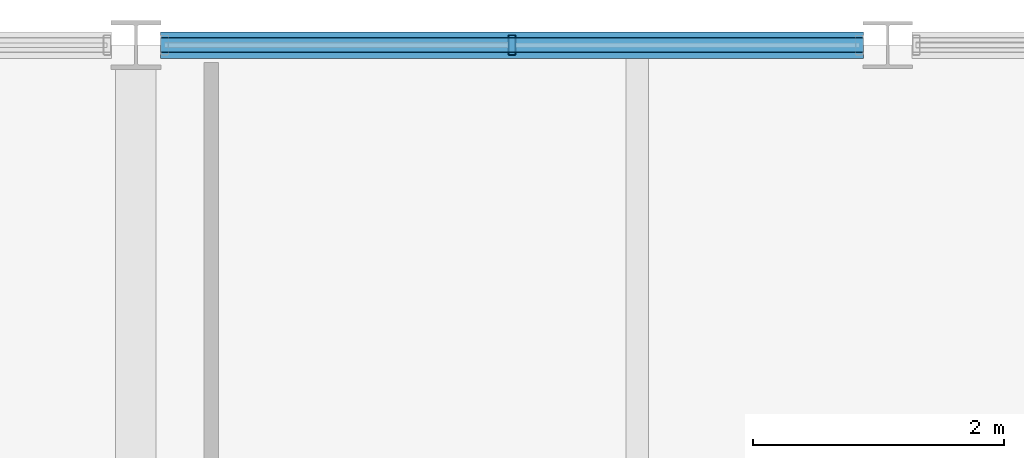
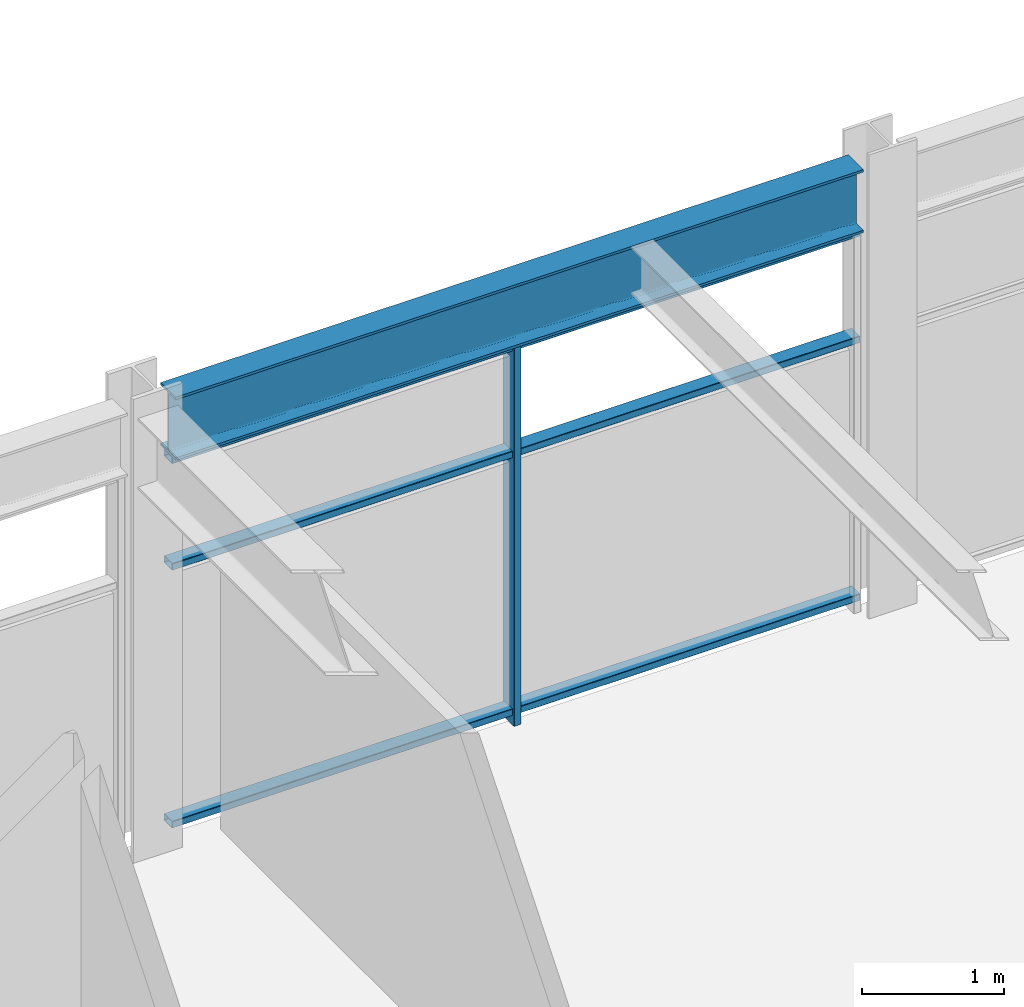
# One storey, part 26 of 51: 4 members, 1 beam, 1 element without a shape of its own.
"""IFC4 building model written with IfcOpenShell, lengths in metres."""

import ifcopenshell
import ifcopenshell.guid

model = None  # the IFC model being written
_history = None  # IfcOwnerHistory: only IFC2X3 demands one
_inside = {}  # id of a spatial element -> (the spatial element, [elements in it])
_under = {}  # id of a project, library or spatial element -> (it, [spatial elements below it])
_declared = {}  # id of a project -> (the project, [libraries it declares])
_typed = {}  # id of a type object -> (the type object, [elements of that type])
_made_of = {}  # id of a material, layer set ... -> (it, [elements and type objects made of it])


def new_model(schema):
    """Start an empty IFC model of exactly this schema.

    Asked for "IFC4X3", IfcOpenShell would pick the latest addendum, in which some entities
    have other attributes; the version numbers below select the first issue.
    IFC2X3 requires an IfcOwnerHistory on every rooted entity: one is made here for all.
    """
    global model, _history
    if schema == "IFC4X3":
        model = ifcopenshell.file(schema_version=(4, 3, 0, 0))
    else:
        model = ifcopenshell.file(schema=schema)
    _inside.clear()
    _under.clear()
    _declared.clear()
    _typed.clear()
    _made_of.clear()
    _history = None
    if model.schema == "IFC2X3":
        org = make("IfcOrganization", Name="unknown")
        user = make(
            "IfcPersonAndOrganization",
            ThePerson=make("IfcPerson", FamilyName="unknown"),
            TheOrganization=org,
        )
        app = make(
            "IfcApplication",
            ApplicationDeveloper=org,
            Version="unknown",
            ApplicationFullName="unknown",
            ApplicationIdentifier="unknown",
        )
        _history = make(
            "IfcOwnerHistory",
            OwningUser=user,
            OwningApplication=app,
            ChangeAction="ADDED",
            CreationDate=0,
        )
    return model


def make(cls, **values):
    """One entity of the class cls with the attributes given. An attribute that is None is left unset."""
    return model.create_entity(
        cls, **{name: value for name, value in values.items() if value is not None}
    )


def rooted(cls, **values):
    """An entity with a GlobalId (a new one), such as an element, a storey or a relation."""
    return make(cls, GlobalId=ifcopenshell.guid.new(), OwnerHistory=_history, **values)


def si_unit(unit_type, name, prefix=None):
    """IfcSIUnit, for example si_unit("LENGTHUNIT", "METRE", prefix="MILLI")."""
    return make("IfcSIUnit", UnitType=unit_type, Prefix=prefix, Name=name)


def assignment(units):
    """IfcUnitAssignment: the units of a project."""
    return None if units is None else make("IfcUnitAssignment", Units=units)


def point(xyz):
    """IfcCartesianPoint."""
    return None if xyz is None else make("IfcCartesianPoint", Coordinates=xyz)


def direction(xyz):
    """IfcDirection."""
    return None if xyz is None else make("IfcDirection", DirectionRatios=xyz)


def frame(location, z_axis=None, x_axis=None):
    """IfcAxis2Placement3D, a coordinate frame: its origin and axes. An axis left out is left unset."""
    return make(
        "IfcAxis2Placement3D",
        Location=point(location),
        Axis=direction(z_axis),
        RefDirection=direction(x_axis),
    )


def frame_2d(location, x_axis=None):
    """IfcAxis2Placement2D, a coordinate frame in the plane: its origin and x axis."""
    return make(
        "IfcAxis2Placement2D", Location=point(location), RefDirection=direction(x_axis)
    )


def origin():
    """The frame at (0, 0, 0) with its axes left unset."""
    return frame((0.0, 0.0, 0.0))


def origin_2d():
    """The frame at (0, 0) in the plane with its x axis left unset."""
    return frame_2d((0.0, 0.0))


def place(relative_to, where):
    """IfcLocalPlacement: puts the frame where relative to a parent placement (None: the world)."""
    return make(
        "IfcLocalPlacement", PlacementRelTo=relative_to, RelativePlacement=where
    )


def context(
    kind, dimensions, precision=None, world=None, true_north=None, identifier=None
):
    """IfcGeometricRepresentationContext, for example the 3D "Model" context."""
    return make(
        "IfcGeometricRepresentationContext",
        ContextIdentifier=identifier,
        ContextType=kind,
        CoordinateSpaceDimension=dimensions,
        Precision=precision,
        WorldCoordinateSystem=world,
        TrueNorth=true_north,
    )


def subcontext(parent, identifier, kind, view, scale=None):
    """IfcGeometricRepresentationSubContext, for example "Body" below "Model"."""
    return make(
        "IfcGeometricRepresentationSubContext",
        ContextIdentifier=identifier,
        ContextType=kind,
        ParentContext=parent,
        TargetScale=scale,
        TargetView=view,
    )


def project(units=None, contexts=None):
    """IfcProject with its units and contexts."""
    return rooted(
        "IfcProject",
        Name="project",
        RepresentationContexts=contexts,
        UnitsInContext=assignment(units),
    )


def spatial(cls, under=None, at=None, **own):
    """A site, building, storey or space (cls), placed at a placement, below another one or the project."""
    s = rooted(cls, ObjectPlacement=at, **own)
    if under is not None:
        _under.setdefault(under.id(), (under, []))[1].append(s)
    return s


def profile(cls, at=None, kind="AREA", **sizes):
    """A parametric profile (cls). Its sizes go by their IFC names, for example OverallWidth=200.0."""
    return make(cls, ProfileType=kind, Position=at, **sizes)


def hollow_rectangle(**sizes):
    """IfcRectangleHollowProfileDef."""
    return profile("IfcRectangleHollowProfileDef", **sizes)


def i_section(**sizes):
    """IfcIShapeProfileDef."""
    return profile("IfcIShapeProfileDef", **sizes)


def extrude(swept, where, along, depth):
    """IfcExtrudedAreaSolid: the profile swept, set in the frame where, extruded along a direction by depth."""
    return make(
        "IfcExtrudedAreaSolid",
        SweptArea=swept,
        Position=where,
        ExtrudedDirection=direction(along),
        Depth=depth,
    )


def shape(context_of_items, identifier, shape_type, items):
    """IfcShapeRepresentation: the items that make up one representation, for example the "Body"."""
    return make(
        "IfcShapeRepresentation",
        ContextOfItems=context_of_items,
        RepresentationIdentifier=identifier,
        RepresentationType=shape_type,
        Items=items,
    )


def material(Name=None, Category=None):
    """IfcMaterial."""
    return make("IfcMaterial", Name=Name, Category=Category)


def material_profile(
    of_material, cross_section, Name=None, Category=None, Priority=None
):
    """IfcMaterialProfile: a cross section and its material."""
    return make(
        "IfcMaterialProfile",
        Name=Name,
        Material=of_material,
        Profile=cross_section,
        Priority=Priority,
        Category=Category,
    )


def profile_set(profiles, Name=None, composite=None):
    """IfcMaterialProfileSet."""
    return make(
        "IfcMaterialProfileSet",
        Name=Name,
        MaterialProfiles=profiles,
        CompositeProfile=composite,
    )


def made_of(thing, what):
    """Note that an element or type object is made of a material, layer set ...; save() writes the relation."""
    if what is not None:
        _made_of.setdefault(what.id(), (what, []))[1].append(thing)
    return thing


def type_object(cls, material=None, **own):
    """A type object (cls), such as IfcWallType, which elements share."""
    return made_of(rooted(cls, **own), material)


def element(
    cls,
    number,
    at=None,
    inside=None,
    cuts=None,
    type_object=None,
    material=None,
    context=None,
    identifier="Body",
    shape_type=None,
    held_by="IfcProductDefinitionShape",
    body=None,
    shapes=None,
    **own,
):
    """One element of the class cls, such as IfcWall. Its Tag is "e" and its number.

    at: its placement. inside: the storey or other place that contains it. cuts: it is an
    opening in that element (IfcRelVoidsElement). A single representation is given by context,
    identifier, shape_type and body (its items); several are given by shapes. held_by: the class
    of the entity that holds the representations. save() writes the other relations.
    """
    e = rooted(cls, Tag="e%d" % number, ObjectPlacement=at, **own)
    if body is not None:
        shapes = [shape(context, identifier, shape_type, body)]
    if shapes is not None:
        e.Representation = make(held_by, Representations=shapes)
    if inside is not None:
        _inside.setdefault(inside.id(), (inside, []))[1].append(e)
    if cuts is not None:
        rooted(
            "IfcRelVoidsElement", RelatingBuildingElement=cuts, RelatedOpeningElement=e
        )
    if type_object is not None:
        _typed.setdefault(type_object.id(), (type_object, []))[1].append(e)
    return made_of(e, material)


def aggregate(whole, parts):
    """IfcRelAggregates: a whole, such as a stair, and the parts it consists of."""
    return rooted("IfcRelAggregates", RelatingObject=whole, RelatedObjects=parts)


def save(model, path):
    """Write the relations noted so far, then the file.

    IfcRelAggregates (storeys below a building ...), IfcRelContainedInSpatialStructure (elements
    in a storey), IfcRelDefinesByType, IfcRelAssociatesMaterial and IfcRelDeclares: one each for
    every whole, place, type object, material and project.
    """
    for whole, parts in _under.values():
        aggregate(whole, parts)
    for where, things in _inside.values():
        rooted(
            "IfcRelContainedInSpatialStructure",
            RelatedElements=things,
            RelatingStructure=where,
        )
    for kind, things in _typed.values():
        rooted("IfcRelDefinesByType", RelatedObjects=things, RelatingType=kind)
    for what, things in _made_of.values():
        rooted("IfcRelAssociatesMaterial", RelatedObjects=things, RelatingMaterial=what)
    for by, libraries in _declared.values():
        rooted("IfcRelDeclares", RelatingContext=by, RelatedDefinitions=libraries)
    model.write(path)


model = new_model("IFC4")

# Units and contexts
model_context = context("Model", 3, precision=1e-05, world=origin(), true_north=direction((0.0, 1.0)))
body_context = subcontext(model_context, "Body", "Model", "MODEL_VIEW")
ifc_project = project(units=[si_unit("LENGTHUNIT", "METRE"), si_unit("AREAUNIT", "SQUARE_METRE"), si_unit("VOLUMEUNIT", "CUBIC_METRE"), si_unit("PLANEANGLEUNIT", "RADIAN"), si_unit("MASSUNIT", "GRAM", prefix="KILO")], contexts=[model_context])

# Site, building, storey
site_placement = place(None, origin())
site = spatial("IfcSite", under=ifc_project, at=site_placement, CompositionType="ELEMENT")
building_placement = place(site_placement, origin())
building = spatial("IfcBuilding", under=site, at=building_placement, Name="Girod Span Mobility Hub", CompositionType="ELEMENT")
storey_placement = place(building_placement, frame((0.0, 0.0, 41.60009765625)))
storey = spatial("IfcBuildingStorey", under=building, at=storey_placement, Name="L10", CompositionType="ELEMENT", Elevation=41.60009765625)

# Beam
ifc_material_1 = material(Name="Steel A992 Grade 50", Category="steel")
ifc_material_profile_1 = material_profile(ifc_material_1, i_section(OverallWidth=0.2119140625, OverallDepth=0.5439453125, WebThickness=0.01318359375, FlangeThickness=0.021240234375, FilletRadius=0.014892578125, at=origin_2d()), Name="W21X83")
ifc_profile_set_1 = profile_set([ifc_material_profile_1], Name="Steel A992 Grade 50")
beam_type = type_object("IfcBeamType", Name="BM-STL-W21X83", PredefinedType="SPANDREL", material=ifc_profile_set_1)
beam_placement = place(storey_placement, frame((84.196533203125, 69.0, 3.552978515625), z_axis=(1.0, 0.0, 0.0), x_axis=(0.0, 1.0, 0.0)))
element("IfcBeam", 1, at=beam_placement, inside=storey, type_object=beam_type, Name="Spandrel Beam 8-9/F-W L10", PredefinedType="SPANDREL", context=body_context, shape_type="SweptSolid", body=[
    extrude(i_section(OverallWidth=0.2119140625, OverallDepth=0.5439453125, WebThickness=0.01318359375, FlangeThickness=0.021240234375, FilletRadius=0.014892578125, at=origin_2d()), origin(), (0.0, 0.0, 1.0), 5.609375),
])

# Curtain wall, members
ifc_material_2 = material(Name="Thermally Broken Anodised Aluminium", Category="aluminium")
curtain_wall_type = type_object("IfcCurtainWallType", Name="CW-561X328", PredefinedType="USERDEFINED", material=ifc_material_2)
curtain_wall_placement = place(storey_placement, origin())
curtain_wall = element("IfcCurtainWall", 2, at=curtain_wall_placement, inside=storey, type_object=curtain_wall_type, Name="Unitised Curtain Wall CW-L10-N08W L10", ObjectType="UNITISED CURTAIN WALL", PredefinedType="USERDEFINED")
ifc_material_3 = material(Name="Thermally Broken Anodised Aluminium", Category="aluminium")
ifc_material_profile_2 = material_profile(ifc_material_3, hollow_rectangle(XDim=0.159912109375, YDim=0.06005859375, WallThickness=0.00341796875, InnerFilletRadius=0.00341796875, OuterFilletRadius=0.007080078125, at=origin_2d()), Name="CW-ML-60X160")
ifc_profile_set_2 = profile_set([ifc_material_profile_2], Name="Thermally Broken Anodised Aluminium")
member_type_1 = type_object("IfcMemberType", Name="CWM-ML-3", PredefinedType="MULLION", material=ifc_profile_set_2)
member_1_placement = place(storey_placement, frame((87.001220703125, 69.0, 0.0), z_axis=(0.0, 0.0, 1.0), x_axis=(0.0, 1.0, 0.0)))
member_1 = element("IfcMember", 3, at=member_1_placement, type_object=member_type_1, Name="Curtain Wall Mullion CW-L10-N08W-M1", PredefinedType="MULLION", context=body_context, shape_type="SweptSolid", body=[
    extrude(hollow_rectangle(XDim=0.159912109375, YDim=0.06005859375, WallThickness=0.00341796875, InnerFilletRadius=0.00341796875, OuterFilletRadius=0.007080078125, at=origin_2d()), origin(), (0.0, 0.0, 1.0), 3.281005859375),
])
ifc_material_4 = material(Name="Thermally Broken Anodised Aluminium", Category="aluminium")
ifc_material_profile_3 = material_profile(ifc_material_4, hollow_rectangle(XDim=0.1201171875, YDim=0.06005859375, WallThickness=0.00341796875, InnerFilletRadius=0.00341796875, OuterFilletRadius=0.007080078125, at=origin_2d()), Name="CW-TR-60X120")
ifc_profile_set_3 = profile_set([ifc_material_profile_3], Name="Thermally Broken Anodised Aluminium")
member_type_2 = type_object("IfcMemberType", Name="CWM-TR-3", PredefinedType="USERDEFINED", material=ifc_profile_set_3)
member_2_placement = place(storey_placement, frame((84.197509765625, 69.0, 0.10986328125), z_axis=(1.0, 0.0, 0.0), x_axis=(0.0, 1.0, 0.0)))
member_2 = element("IfcMember", 4, at=member_2_placement, type_object=member_type_2, Name="Curtain Wall Transom CW-L10-N08W-T1", ObjectType="TRANSOM", PredefinedType="USERDEFINED", context=body_context, shape_type="SweptSolid", body=[
    extrude(hollow_rectangle(XDim=0.1201171875, YDim=0.06005859375, WallThickness=0.00341796875, InnerFilletRadius=0.00341796875, OuterFilletRadius=0.007080078125, at=origin_2d()), origin(), (0.0, 0.0, 1.0), 5.607421875),
])
member_3_placement = place(storey_placement, frame((84.197509765625, 69.0, 2.332275390625), z_axis=(1.0, 0.0, 0.0), x_axis=(0.0, 1.0, 0.0)))
member_3 = element("IfcMember", 5, at=member_3_placement, type_object=member_type_2, Name="Curtain Wall Transom CW-L10-N08W-T2", ObjectType="TRANSOM", PredefinedType="USERDEFINED", context=body_context, shape_type="SweptSolid", body=[
    extrude(hollow_rectangle(XDim=0.1201171875, YDim=0.06005859375, WallThickness=0.00341796875, InnerFilletRadius=0.00341796875, OuterFilletRadius=0.007080078125, at=origin_2d()), origin(), (0.0, 0.0, 1.0), 5.607421875),
])
member_4_placement = place(storey_placement, frame((84.197509765625, 69.0, 3.2509765625), z_axis=(1.0, 0.0, 0.0), x_axis=(0.0, 1.0, 0.0)))
member_4 = element("IfcMember", 6, at=member_4_placement, type_object=member_type_2, Name="Curtain Wall Transom CW-L10-N08W-T3", ObjectType="TRANSOM", PredefinedType="USERDEFINED", context=body_context, shape_type="SweptSolid", body=[
    extrude(hollow_rectangle(XDim=0.1201171875, YDim=0.06005859375, WallThickness=0.00341796875, InnerFilletRadius=0.00341796875, OuterFilletRadius=0.007080078125, at=origin_2d()), origin(), (0.0, 0.0, 1.0), 5.607421875),
])
aggregate(curtain_wall, [member_1, member_2, member_3, member_4])

save(model, "model.ifc")
